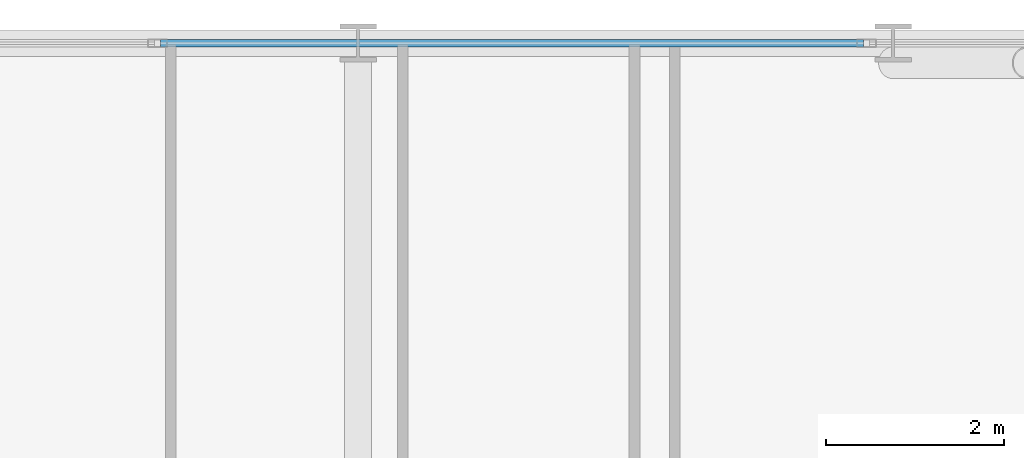
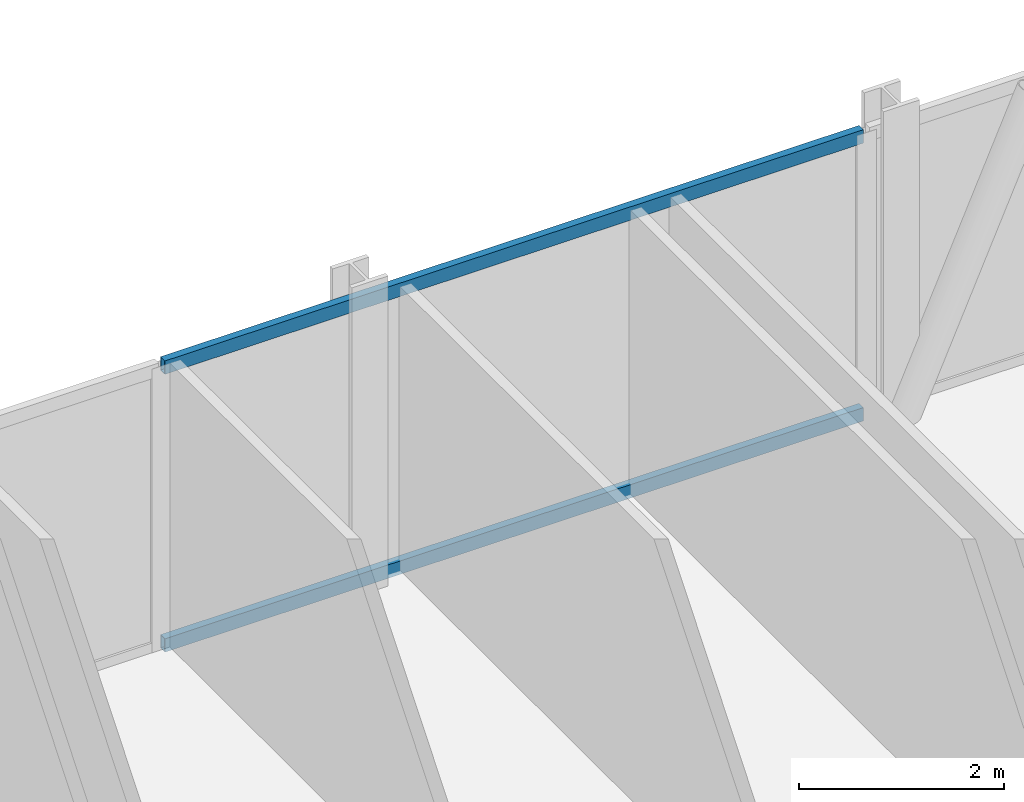
# One storey, part 14 of 34: 2 members, 1 element without a shape of its own.
"""IFC4 building model written with IfcOpenShell, lengths in metres."""

from ifc_helpers import new_model, si_unit, direction, frame, origin, origin_2d, place, context, subcontext, project, spatial, hollow_rectangle, extrude, material, layer, layer_set, material_profile, profile_set, type_object, element, aggregate, save


model = new_model("IFC4")

# Units and contexts
model_context = context("Model", 3, precision=1e-05, world=origin(), true_north=direction((0.0, 1.0)))
body_context = subcontext(model_context, "Body", "Model", "MODEL_VIEW")
ifc_project = project(units=[si_unit("LENGTHUNIT", "METRE"), si_unit("AREAUNIT", "SQUARE_METRE"), si_unit("VOLUMEUNIT", "CUBIC_METRE"), si_unit("PLANEANGLEUNIT", "RADIAN"), si_unit("MASSUNIT", "GRAM", prefix="KILO")], contexts=[model_context])

# Site, building, storey
site_placement = place(None, origin())
site = spatial("IfcSite", under=ifc_project, at=site_placement, CompositionType="ELEMENT")
building_placement = place(site_placement, origin())
building = spatial("IfcBuilding", under=site, at=building_placement, Name="Keshet Zoharim Tower", CompositionType="ELEMENT")
storey_placement = place(building_placement, frame((0.0, 0.0, 38.800048828125)))
storey = spatial("IfcBuildingStorey", under=building, at=storey_placement, Name="L08", CompositionType="ELEMENT", Elevation=38.800048828125)

# Curtain wall, members
ifc_material = material(Name="Aluminium 6063-T6", Category="aluminium")
ifc_layer = layer(ifc_material, 0.169921875)
ifc_layer_set = layer_set([ifc_layer], Name="Aluminium 6063-T6")
curtain_wall_type = type_object("IfcCurtainWallType", Name="CW-SYS-02", PredefinedType="NOTDEFINED", material=ifc_layer_set)
curtain_wall_placement = place(storey_placement, origin())
curtain_wall = element("IfcCurtainWall", 1, at=curtain_wall_placement, inside=storey, type_object=curtain_wall_type, Name="L08 Unitised Curtain Wall 07 Part 3", PredefinedType="NOTDEFINED")
ifc_material_profile = material_profile(ifc_material, hollow_rectangle(XDim=0.0849609375, YDim=0.159912109375, WallThickness=0.00439453125, at=origin_2d()), Name="TRN-85x160")
ifc_profile_set = profile_set([ifc_material_profile], Name="Aluminium 6063-T6")
member_type = type_object("IfcMemberType", Name="CWT-T16", PredefinedType="USERDEFINED", material=ifc_profile_set)
member_1_placement = place(storey_placement, frame((30.784912109375, 53.89990234375, 0.034912109375), z_axis=(1.0, 0.0, 0.0), x_axis=(0.0, 1.0, 0.0)))
member_1 = element("IfcMember", 2, at=member_1_placement, type_object=member_type, Name="CW-02 transom 2.1", ObjectType="TRANSOM", PredefinedType="USERDEFINED", context=body_context, shape_type="SweptSolid", body=[
    extrude(hollow_rectangle(XDim=0.0849609375, YDim=0.159912109375, WallThickness=0.00439453125, at=origin_2d()), origin(), (0.0, 0.0, 1.0), 7.882568359375),
])
member_2_placement = place(storey_placement, frame((30.784912109375, 53.89990234375, 3.349853515625), z_axis=(1.0, 0.0, 0.0), x_axis=(0.0, 1.0, 0.0)))
member_2 = element("IfcMember", 3, at=member_2_placement, type_object=member_type, Name="CW-02 transom 2.2", ObjectType="TRANSOM", PredefinedType="USERDEFINED", context=body_context, shape_type="SweptSolid", body=[
    extrude(hollow_rectangle(XDim=0.0849609375, YDim=0.159912109375, WallThickness=0.00439453125, at=origin_2d()), origin(), (0.0, 0.0, 1.0), 7.882568359375),
])
aggregate(curtain_wall, [member_1, member_2])

save(model, "model.ifc")
